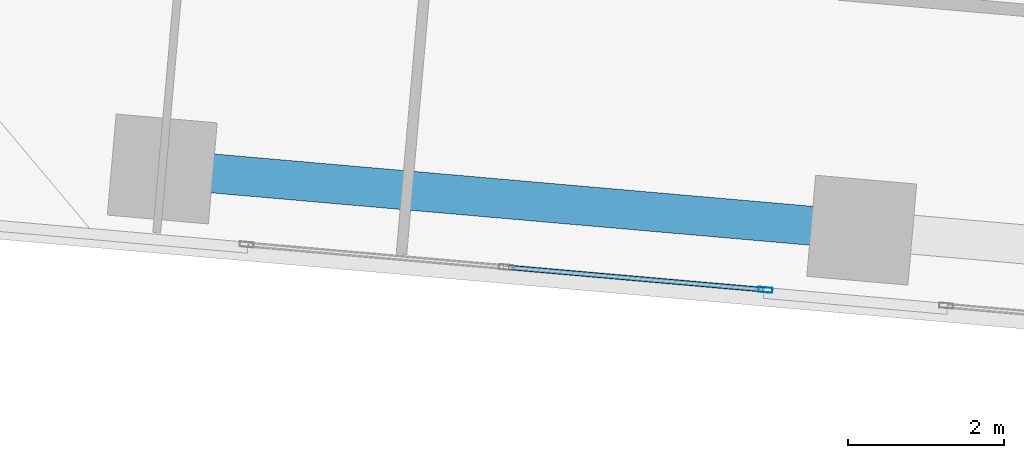
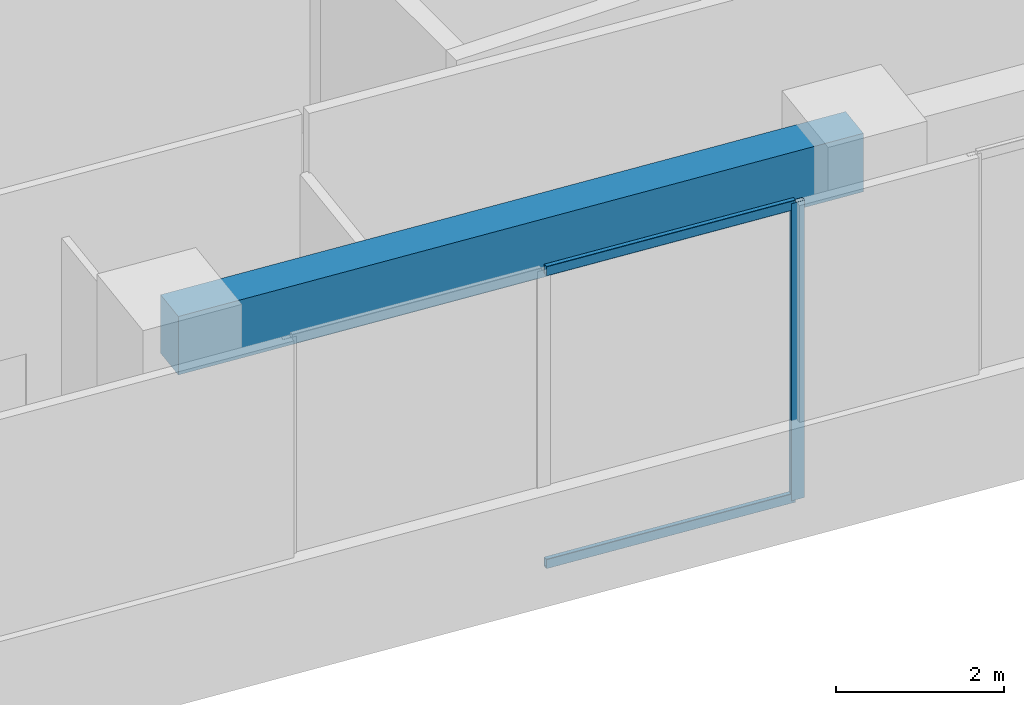
# One storey, part 3 of 24: 3 members, 1 beam, 1 element without a shape of its own.
"""IFC4 building model written with IfcOpenShell, lengths in metres."""

import ifcopenshell
import ifcopenshell.guid

model = None  # the IFC model being written
_history = None  # IfcOwnerHistory: only IFC2X3 demands one
_inside = {}  # id of a spatial element -> (the spatial element, [elements in it])
_under = {}  # id of a project, library or spatial element -> (it, [spatial elements below it])
_declared = {}  # id of a project -> (the project, [libraries it declares])
_typed = {}  # id of a type object -> (the type object, [elements of that type])
_made_of = {}  # id of a material, layer set ... -> (it, [elements and type objects made of it])


def new_model(schema):
    """Start an empty IFC model of exactly this schema.

    Asked for "IFC4X3", IfcOpenShell would pick the latest addendum, in which some entities
    have other attributes; the version numbers below select the first issue.
    IFC2X3 requires an IfcOwnerHistory on every rooted entity: one is made here for all.
    """
    global model, _history
    if schema == "IFC4X3":
        model = ifcopenshell.file(schema_version=(4, 3, 0, 0))
    else:
        model = ifcopenshell.file(schema=schema)
    _inside.clear()
    _under.clear()
    _declared.clear()
    _typed.clear()
    _made_of.clear()
    _history = None
    if model.schema == "IFC2X3":
        org = make("IfcOrganization", Name="unknown")
        user = make(
            "IfcPersonAndOrganization",
            ThePerson=make("IfcPerson", FamilyName="unknown"),
            TheOrganization=org,
        )
        app = make(
            "IfcApplication",
            ApplicationDeveloper=org,
            Version="unknown",
            ApplicationFullName="unknown",
            ApplicationIdentifier="unknown",
        )
        _history = make(
            "IfcOwnerHistory",
            OwningUser=user,
            OwningApplication=app,
            ChangeAction="ADDED",
            CreationDate=0,
        )
    return model


def make(cls, **values):
    """One entity of the class cls with the attributes given. An attribute that is None is left unset."""
    return model.create_entity(
        cls, **{name: value for name, value in values.items() if value is not None}
    )


def rooted(cls, **values):
    """An entity with a GlobalId (a new one), such as an element, a storey or a relation."""
    return make(cls, GlobalId=ifcopenshell.guid.new(), OwnerHistory=_history, **values)


def si_unit(unit_type, name, prefix=None):
    """IfcSIUnit, for example si_unit("LENGTHUNIT", "METRE", prefix="MILLI")."""
    return make("IfcSIUnit", UnitType=unit_type, Prefix=prefix, Name=name)


def assignment(units):
    """IfcUnitAssignment: the units of a project."""
    return None if units is None else make("IfcUnitAssignment", Units=units)


def point(xyz):
    """IfcCartesianPoint."""
    return None if xyz is None else make("IfcCartesianPoint", Coordinates=xyz)


def direction(xyz):
    """IfcDirection."""
    return None if xyz is None else make("IfcDirection", DirectionRatios=xyz)


def frame(location, z_axis=None, x_axis=None):
    """IfcAxis2Placement3D, a coordinate frame: its origin and axes. An axis left out is left unset."""
    return make(
        "IfcAxis2Placement3D",
        Location=point(location),
        Axis=direction(z_axis),
        RefDirection=direction(x_axis),
    )


def frame_2d(location, x_axis=None):
    """IfcAxis2Placement2D, a coordinate frame in the plane: its origin and x axis."""
    return make(
        "IfcAxis2Placement2D", Location=point(location), RefDirection=direction(x_axis)
    )


def origin():
    """The frame at (0, 0, 0) with its axes left unset."""
    return frame((0.0, 0.0, 0.0))


def origin_2d():
    """The frame at (0, 0) in the plane with its x axis left unset."""
    return frame_2d((0.0, 0.0))


def place(relative_to, where):
    """IfcLocalPlacement: puts the frame where relative to a parent placement (None: the world)."""
    return make(
        "IfcLocalPlacement", PlacementRelTo=relative_to, RelativePlacement=where
    )


def context(
    kind, dimensions, precision=None, world=None, true_north=None, identifier=None
):
    """IfcGeometricRepresentationContext, for example the 3D "Model" context."""
    return make(
        "IfcGeometricRepresentationContext",
        ContextIdentifier=identifier,
        ContextType=kind,
        CoordinateSpaceDimension=dimensions,
        Precision=precision,
        WorldCoordinateSystem=world,
        TrueNorth=true_north,
    )


def subcontext(parent, identifier, kind, view, scale=None):
    """IfcGeometricRepresentationSubContext, for example "Body" below "Model"."""
    return make(
        "IfcGeometricRepresentationSubContext",
        ContextIdentifier=identifier,
        ContextType=kind,
        ParentContext=parent,
        TargetScale=scale,
        TargetView=view,
    )


def project(units=None, contexts=None):
    """IfcProject with its units and contexts."""
    return rooted(
        "IfcProject",
        Name="project",
        RepresentationContexts=contexts,
        UnitsInContext=assignment(units),
    )


def spatial(cls, under=None, at=None, **own):
    """A site, building, storey or space (cls), placed at a placement, below another one or the project."""
    s = rooted(cls, ObjectPlacement=at, **own)
    if under is not None:
        _under.setdefault(under.id(), (under, []))[1].append(s)
    return s


def profile(cls, at=None, kind="AREA", **sizes):
    """A parametric profile (cls). Its sizes go by their IFC names, for example OverallWidth=200.0."""
    return make(cls, ProfileType=kind, Position=at, **sizes)


def rectangle(**sizes):
    """IfcRectangleProfileDef."""
    return profile("IfcRectangleProfileDef", **sizes)


def hollow_rectangle(**sizes):
    """IfcRectangleHollowProfileDef."""
    return profile("IfcRectangleHollowProfileDef", **sizes)


def extrude(swept, where, along, depth):
    """IfcExtrudedAreaSolid: the profile swept, set in the frame where, extruded along a direction by depth."""
    return make(
        "IfcExtrudedAreaSolid",
        SweptArea=swept,
        Position=where,
        ExtrudedDirection=direction(along),
        Depth=depth,
    )


def shape(context_of_items, identifier, shape_type, items):
    """IfcShapeRepresentation: the items that make up one representation, for example the "Body"."""
    return make(
        "IfcShapeRepresentation",
        ContextOfItems=context_of_items,
        RepresentationIdentifier=identifier,
        RepresentationType=shape_type,
        Items=items,
    )


def source(mapping_origin, context_of_items, identifier, shape_type, items):
    """IfcRepresentationMap: a shape defined once, which mapped items show again and again."""
    return make(
        "IfcRepresentationMap",
        MappingOrigin=mapping_origin,
        MappedRepresentation=shape(context_of_items, identifier, shape_type, items),
    )


def transform(
    local_origin,
    x_axis=None,
    y_axis=None,
    z_axis=None,
    scale=None,
    scale2=None,
    scale3=None,
    uniform=True,
):
    """IfcCartesianTransformationOperator3D, or its non-uniform kind. x_axis, y_axis, z_axis: its Axis1, 2, 3."""
    if uniform:
        return make(
            "IfcCartesianTransformationOperator3D",
            Axis1=direction(x_axis),
            Axis2=direction(y_axis),
            LocalOrigin=point(local_origin),
            Scale=scale,
            Axis3=direction(z_axis),
        )
    return make(
        "IfcCartesianTransformationOperator3DnonUniform",
        Axis1=direction(x_axis),
        Axis2=direction(y_axis),
        LocalOrigin=point(local_origin),
        Scale=scale,
        Axis3=direction(z_axis),
        Scale2=scale2,
        Scale3=scale3,
    )


def mapped(mapping_source, mapping_target):
    """IfcMappedItem: shows the shape of a source again, moved by a transform."""
    return make(
        "IfcMappedItem", MappingSource=mapping_source, MappingTarget=mapping_target
    )


def material(Name=None, Category=None):
    """IfcMaterial."""
    return make("IfcMaterial", Name=Name, Category=Category)


def material_profile(
    of_material, cross_section, Name=None, Category=None, Priority=None
):
    """IfcMaterialProfile: a cross section and its material."""
    return make(
        "IfcMaterialProfile",
        Name=Name,
        Material=of_material,
        Profile=cross_section,
        Priority=Priority,
        Category=Category,
    )


def profile_set(profiles, Name=None, composite=None):
    """IfcMaterialProfileSet."""
    return make(
        "IfcMaterialProfileSet",
        Name=Name,
        MaterialProfiles=profiles,
        CompositeProfile=composite,
    )


def made_of(thing, what):
    """Note that an element or type object is made of a material, layer set ...; save() writes the relation."""
    if what is not None:
        _made_of.setdefault(what.id(), (what, []))[1].append(thing)
    return thing


def type_object(cls, material=None, **own):
    """A type object (cls), such as IfcWallType, which elements share."""
    return made_of(rooted(cls, **own), material)


def element(
    cls,
    number,
    at=None,
    inside=None,
    cuts=None,
    type_object=None,
    material=None,
    context=None,
    identifier="Body",
    shape_type=None,
    held_by="IfcProductDefinitionShape",
    body=None,
    shapes=None,
    **own,
):
    """One element of the class cls, such as IfcWall. Its Tag is "e" and its number.

    at: its placement. inside: the storey or other place that contains it. cuts: it is an
    opening in that element (IfcRelVoidsElement). A single representation is given by context,
    identifier, shape_type and body (its items); several are given by shapes. held_by: the class
    of the entity that holds the representations. save() writes the other relations.
    """
    e = rooted(cls, Tag="e%d" % number, ObjectPlacement=at, **own)
    if body is not None:
        shapes = [shape(context, identifier, shape_type, body)]
    if shapes is not None:
        e.Representation = make(held_by, Representations=shapes)
    if inside is not None:
        _inside.setdefault(inside.id(), (inside, []))[1].append(e)
    if cuts is not None:
        rooted(
            "IfcRelVoidsElement", RelatingBuildingElement=cuts, RelatedOpeningElement=e
        )
    if type_object is not None:
        _typed.setdefault(type_object.id(), (type_object, []))[1].append(e)
    return made_of(e, material)


def aggregate(whole, parts):
    """IfcRelAggregates: a whole, such as a stair, and the parts it consists of."""
    return rooted("IfcRelAggregates", RelatingObject=whole, RelatedObjects=parts)


def save(model, path):
    """Write the relations noted so far, then the file.

    IfcRelAggregates (storeys below a building ...), IfcRelContainedInSpatialStructure (elements
    in a storey), IfcRelDefinesByType, IfcRelAssociatesMaterial and IfcRelDeclares: one each for
    every whole, place, type object, material and project.
    """
    for whole, parts in _under.values():
        aggregate(whole, parts)
    for where, things in _inside.values():
        rooted(
            "IfcRelContainedInSpatialStructure",
            RelatedElements=things,
            RelatingStructure=where,
        )
    for kind, things in _typed.values():
        rooted("IfcRelDefinesByType", RelatedObjects=things, RelatingType=kind)
    for what, things in _made_of.values():
        rooted("IfcRelAssociatesMaterial", RelatedObjects=things, RelatingMaterial=what)
    for by, libraries in _declared.values():
        rooted("IfcRelDeclares", RelatingContext=by, RelatedDefinitions=libraries)
    model.write(path)


model = new_model("IFC4")

# Units and contexts
model_context = context("Model", 3, precision=1e-05, world=origin(), true_north=direction((0.0, 1.0)))
body_context = subcontext(model_context, "Body", "Model", "MODEL_VIEW")
ifc_project = project(units=[si_unit("LENGTHUNIT", "METRE"), si_unit("AREAUNIT", "SQUARE_METRE"), si_unit("VOLUMEUNIT", "CUBIC_METRE"), si_unit("PLANEANGLEUNIT", "RADIAN"), si_unit("MASSUNIT", "GRAM", prefix="KILO")], contexts=[model_context])

# Site, building, storey
site_placement = place(None, origin())
site = spatial("IfcSite", under=ifc_project, at=site_placement, CompositionType="ELEMENT")
building_placement = place(site_placement, origin())
building = spatial("IfcBuilding", under=site, at=building_placement, Name="Torre Montelarca", CompositionType="ELEMENT")
storey_placement = place(building_placement, frame((0.0, 0.0, 47.199951171875)))
storey = spatial("IfcBuildingStorey", under=building, at=storey_placement, Name="L10", CompositionType="ELEMENT", Elevation=47.199951171875)

# Beam
ifc_material_1 = material(Name="Concrete C55/67", Category="concrete")
ifc_material_profile_1 = material_profile(ifc_material_1, rectangle(XDim=0.5, YDim=0.85009765625, at=origin_2d()), Name="RCB500X850", Category="concrete")
ifc_profile_set_1 = profile_set([ifc_material_profile_1], Name="Concrete C55/67")
beam_type = type_object("IfcBeamType", Name="BM-SP-RC850-EXT", PredefinedType="SPANDREL", material=ifc_profile_set_1)
shared_shape_1 = source(origin(), body_context, "Body", "SweptSolid", [
    extrude(rectangle(XDim=0.5, YDim=0.85009765625, at=origin_2d()), origin(), (0.0, 0.0, 1.0), 8.999755859375),
])
beam_placement = place(storey_placement, frame((7.548583984375, 15.954833984375, 4.135009765625), z_axis=(0.996194335816, -0.087159883478, 0.0), x_axis=(0.087159883478, 0.996194335816, 0.0)))
element("IfcBeam", 1, at=beam_placement, inside=storey, type_object=beam_type, Name="L10 Grid Girder X 9.0-18.0 at Y=14.8", PredefinedType="SPANDREL", context=body_context, shape_type="MappedRepresentation", body=[
    mapped(shared_shape_1, transform((0.0, 0.0, 0.0), scale=1.0)),
])

# Curtain wall, members
ifc_material_2 = material(Name="Insulated low-E laminated glass", Category="glass")
curtain_wall_type = type_object("IfcCurtainWallType", Name="CW-SYS-Z1", PredefinedType="USERDEFINED", material=ifc_material_2)
curtain_wall_placement = place(storey_placement, origin())
curtain_wall = element("IfcCurtainWall", 2, at=curtain_wall_placement, inside=storey, type_object=curtain_wall_type, Name="L10 Curtain Wall Run CW-T3-L10-E01-B1", ObjectType="UNITISED GLAZING", PredefinedType="USERDEFINED")
ifc_material_3 = material(Name="Anodised aluminium AA 6063-T6", Category="aluminium")
ifc_material_profile_2 = material_profile(ifc_material_3, hollow_rectangle(XDim=0.06494140625, YDim=0.179931640625, WallThickness=0.00390625, InnerFilletRadius=0.00390625, OuterFilletRadius=0.008056640625, at=origin_2d()), Name="ALU65X180X4", Category="aluminium")
ifc_profile_set_2 = profile_set([ifc_material_profile_2], Name="Anodised aluminium AA 6063-T6")
member_type_1 = type_object("IfcMemberType", Name="CWM-ALU180", PredefinedType="MULLION", material=ifc_profile_set_2)
shared_shape_2 = source(origin(), body_context, "Body", "SweptSolid", [
    extrude(hollow_rectangle(XDim=0.06494140625, YDim=0.179931640625, WallThickness=0.00390625, InnerFilletRadius=0.00390625, OuterFilletRadius=0.008056640625, at=origin_2d()), origin(), (0.0, 0.0, 1.0), 4.320068359375),
])
member_1_placement = place(storey_placement, frame((15.2802734375, 14.405029296875, 0.0), z_axis=(0.0, 0.0, 1.0), x_axis=(0.087166766231, 0.9961937336, 0.0)))
member_1 = element("IfcMember", 3, at=member_1_placement, type_object=member_type_1, Name="CW mullion 3", PredefinedType="MULLION", context=body_context, shape_type="MappedRepresentation", body=[
    mapped(shared_shape_2, transform((0.0, 0.0, 0.0), scale=1.0)),
])
ifc_material_profile_3 = material_profile(ifc_material_3, hollow_rectangle(XDim=0.06494140625, YDim=0.139892578125, WallThickness=0.00390625, InnerFilletRadius=0.00390625, OuterFilletRadius=0.008056640625, at=origin_2d()), Name="ALU65X140X4", Category="aluminium")
ifc_profile_set_3 = profile_set([ifc_material_profile_3], Name="Anodised aluminium AA 6063-T6")
member_type_2 = type_object("IfcMemberType", Name="CWT-ALU140", PredefinedType="USERDEFINED", material=ifc_profile_set_3)
shared_shape_3 = source(origin(), body_context, "Body", "SweptSolid", [
    extrude(hollow_rectangle(XDim=0.06494140625, YDim=0.139892578125, WallThickness=0.00390625, InnerFilletRadius=0.00390625, OuterFilletRadius=0.008056640625, at=origin_2d()), origin(), (0.0, 0.0, 1.0), 3.2724609375),
])
member_2_placement = place(storey_placement, frame((11.988037109375, 14.693115234375, 0.032470703125), z_axis=(0.996196227428, -0.087138260588, 0.0), x_axis=(0.087138260588, 0.996196227428, 0.0)))
member_2 = element("IfcMember", 4, at=member_2_placement, type_object=member_type_2, Name="CW transom 2.1", ObjectType="TRANSOM", PredefinedType="USERDEFINED", context=body_context, shape_type="MappedRepresentation", body=[
    mapped(shared_shape_3, transform((0.0, 0.0, 0.0), scale=1.0)),
])
member_3_placement = place(storey_placement, frame((11.988037109375, 14.693115234375, 4.28759765625), z_axis=(0.996196227428, -0.087138260588, 0.0), x_axis=(0.087138260588, 0.996196227428, 0.0)))
member_3 = element("IfcMember", 5, at=member_3_placement, type_object=member_type_2, Name="CW transom 2.2", ObjectType="TRANSOM", PredefinedType="USERDEFINED", context=body_context, shape_type="MappedRepresentation", body=[
    mapped(shared_shape_3, transform((0.0, 0.0, 0.0), scale=1.0)),
])
aggregate(curtain_wall, [member_1, member_2, member_3])

save(model, "model.ifc")
